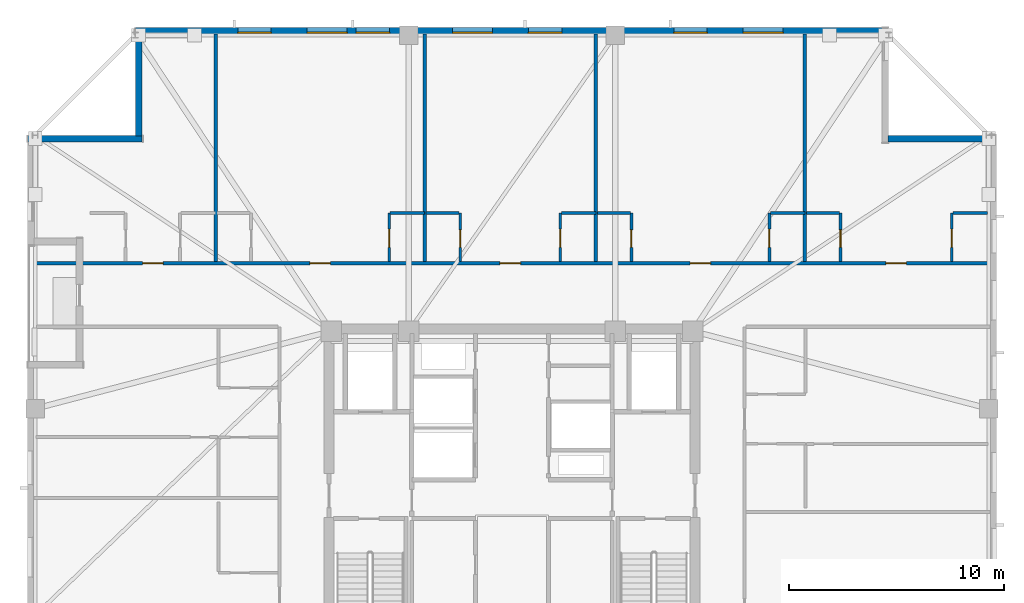
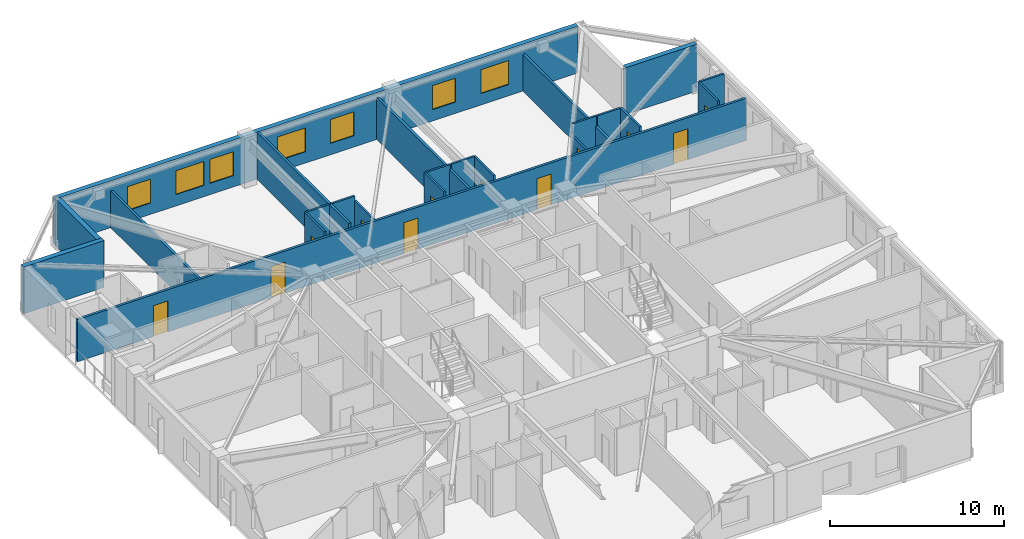
# One storey, part 11 of 17: 23 walls, 12 doors, 7 windows, 19 openings.
"""IFC4 building model written with IfcOpenShell, lengths in metres."""

from ifc_helpers import new_model, si_unit, direction, frame, frame_2d, origin, place, context, subcontext, project, spatial, rectangle, extrude, material, layer, layer_set, type_object, element, fill, save


model = new_model("IFC4")

# Units and contexts
model_context = context("Model", 3, precision=1e-05, world=origin(), true_north=direction((0.0, 1.0)))
body_context = subcontext(model_context, "Body", "Model", "MODEL_VIEW")
ifc_project = project(units=[si_unit("LENGTHUNIT", "METRE"), si_unit("AREAUNIT", "SQUARE_METRE"), si_unit("VOLUMEUNIT", "CUBIC_METRE"), si_unit("PLANEANGLEUNIT", "RADIAN"), si_unit("MASSUNIT", "GRAM", prefix="KILO")], contexts=[model_context])

# Site, building, storey
site_placement = place(None, origin())
site = spatial("IfcSite", under=ifc_project, at=site_placement, CompositionType="ELEMENT")
building_placement = place(site_placement, origin())
building = spatial("IfcBuilding", under=site, at=building_placement, Name="Cairnveth Concourse Tower", CompositionType="ELEMENT")
storey_placement = place(building_placement, frame((0.0, 0.0, 234.0)))
storey = spatial("IfcBuildingStorey", under=building, at=storey_placement, Name="L64", CompositionType="ELEMENT", Elevation=234.0)

# Wall, openings, doors
ifc_material_1 = material(Name="Gypsum Plasterboard Partition", Category="gypsum")
ifc_layer_1 = layer(ifc_material_1, 0.159912109375)
ifc_layer_set_1 = layer_set([ifc_layer_1], Name="Gypsum Plasterboard Partition")
wall_type_1 = type_object("IfcWallType", Name="ACOUSTIC PARTY WALL 180", PredefinedType="PARTITIONING", material=ifc_layer_set_1)
wall_1_placement = place(storey_placement, frame((29.77001953125, 50.5576171875, 0.0), z_axis=(0.0, 0.0, 1.0), x_axis=(1.0, 0.0, 0.0)))
wall_1 = element("IfcWall", 1, at=wall_1_placement, inside=storey, type_object=wall_type_1, Name="Interior Wall IW-L64-036", PredefinedType="PARTITIONING", context=body_context, shape_type="SweptSolid", body=[
    extrude(rectangle(XDim=44.425048828125, YDim=0.159912109375, at=frame_2d((22.21240234375, 0.0))), origin(), (0.0, 0.0, 1.0), 2.9580078125),
])
opening_1_placement = place(wall_1_placement, frame((5.06591796875, 0.0, 0.0)))
opening_1 = element("IfcOpeningElement", 2, at=opening_1_placement, cuts=wall_1, Name="Opening ID10", PredefinedType="OPENING", context=body_context, shape_type="SweptSolid", body=[
    extrude(rectangle(XDim=0.9599609375, YDim=2.179931640625, at=frame_2d((0.47998046875, 1.08984375))), frame((0.0, 0.08984375, 0.0), z_axis=(0.0, -1.0, 0.0), x_axis=(1.0, 0.0, 0.0)), (0.0, 0.0, 1.0), 0.179931640625),
])
opening_2_placement = place(wall_1_placement, frame((12.837890625, 0.0, 0.0)))
opening_2 = element("IfcOpeningElement", 3, at=opening_2_placement, cuts=wall_1, Name="Opening ID10", PredefinedType="OPENING", context=body_context, shape_type="SweptSolid", body=[
    extrude(rectangle(XDim=0.9599609375, YDim=2.179931640625, at=frame_2d((0.47998046875, 1.08984375))), frame((0.0, 0.08984375, 0.0), z_axis=(0.0, -1.0, 0.0), x_axis=(1.0, 0.0, 0.0)), (0.0, 0.0, 1.0), 0.179931640625),
])
opening_3_placement = place(wall_1_placement, frame((21.669921875, 0.0, 0.0)))
opening_3 = element("IfcOpeningElement", 4, at=opening_3_placement, cuts=wall_1, Name="Opening ID10", PredefinedType="OPENING", context=body_context, shape_type="SweptSolid", body=[
    extrude(rectangle(XDim=0.9599609375, YDim=2.179931640625, at=frame_2d((0.47998046875, 1.08984375))), frame((0.0, 0.08984375, 0.0), z_axis=(0.0, -1.0, 0.0), x_axis=(1.0, 0.0, 0.0)), (0.0, 0.0, 1.0), 0.179931640625),
])
opening_4_placement = place(wall_1_placement, frame((30.501953125, 0.0, 0.0)))
opening_4 = element("IfcOpeningElement", 5, at=opening_4_placement, cuts=wall_1, Name="Opening ID10", PredefinedType="OPENING", context=body_context, shape_type="SweptSolid", body=[
    extrude(rectangle(XDim=0.9599609375, YDim=2.179931640625, at=frame_2d((0.47998046875, 1.08984375))), frame((0.0, 0.08984375, 0.0), z_axis=(0.0, -1.0, 0.0), x_axis=(1.0, 0.0, 0.0)), (0.0, 0.0, 1.0), 0.179931640625),
])
opening_5_placement = place(wall_1_placement, frame((39.593994140625, 0.0, 0.0)))
opening_5 = element("IfcOpeningElement", 6, at=opening_5_placement, cuts=wall_1, Name="Opening ID10", PredefinedType="OPENING", context=body_context, shape_type="SweptSolid", body=[
    extrude(rectangle(XDim=0.9599609375, YDim=2.179931640625, at=frame_2d((0.47998046875, 1.08984375))), frame((0.0, 0.08984375, 0.0), z_axis=(0.0, -1.0, 0.0), x_axis=(1.0, 0.0, 0.0)), (0.0, 0.0, 1.0), 0.179931640625),
])
ifc_material_2 = material(Name="Solid Core Hardwood Timber Leaf", Category="wood")
door_type_1 = type_object("IfcDoorType", Name="FLAT ENTRANCE DOOR 960X2150", OperationType="NOTDEFINED", PredefinedType="DOOR", material=ifc_material_2)
door_1_placement = place(opening_1_placement, origin())
door_1 = element("IfcDoor", 7, at=door_1_placement, inside=storey, type_object=door_type_1, Name="Studio L64STN1 Entrance Door", OperationType="SINGLE_SWING_RIGHT", OverallHeight=2.179931640625, OverallWidth=0.9599609375, PredefinedType="DOOR", context=body_context, shape_type="SweptSolid", body=[
    extrude(rectangle(XDim=0.9599609375, YDim=2.179931640625, at=frame_2d((0.47998046875, 1.08984375))), frame((0.0, 0.02490234375, 0.0), z_axis=(0.0, -1.0, 0.0), x_axis=(1.0, 0.0, 0.0)), (0.0, 0.0, 1.0), 0.050048828125),
])
fill(opening_1, door_1)
door_2_placement = place(opening_2_placement, origin())
door_2 = element("IfcDoor", 8, at=door_2_placement, inside=storey, type_object=door_type_1, Name="Studio L64STN2 Entrance Door", OperationType="SINGLE_SWING_LEFT", OverallHeight=2.179931640625, OverallWidth=0.9599609375, PredefinedType="DOOR", context=body_context, shape_type="SweptSolid", body=[
    extrude(rectangle(XDim=0.9599609375, YDim=2.179931640625, at=frame_2d((0.47998046875, 1.08984375))), frame((0.0, 0.02490234375, 0.0), z_axis=(0.0, -1.0, 0.0), x_axis=(1.0, 0.0, 0.0)), (0.0, 0.0, 1.0), 0.050048828125),
])
fill(opening_2, door_2)
door_3_placement = place(opening_3_placement, origin())
door_3 = element("IfcDoor", 9, at=door_3_placement, inside=storey, type_object=door_type_1, Name="Studio L64STN3 Entrance Door", OperationType="SINGLE_SWING_RIGHT", OverallHeight=2.179931640625, OverallWidth=0.9599609375, PredefinedType="DOOR", context=body_context, shape_type="SweptSolid", body=[
    extrude(rectangle(XDim=0.9599609375, YDim=2.179931640625, at=frame_2d((0.47998046875, 1.08984375))), frame((0.0, 0.02490234375, 0.0), z_axis=(0.0, -1.0, 0.0), x_axis=(1.0, 0.0, 0.0)), (0.0, 0.0, 1.0), 0.050048828125),
])
fill(opening_3, door_3)
door_4_placement = place(opening_4_placement, origin())
door_4 = element("IfcDoor", 10, at=door_4_placement, inside=storey, type_object=door_type_1, Name="Studio L64STN4 Entrance Door", OperationType="SINGLE_SWING_LEFT", OverallHeight=2.179931640625, OverallWidth=0.9599609375, PredefinedType="DOOR", context=body_context, shape_type="SweptSolid", body=[
    extrude(rectangle(XDim=0.9599609375, YDim=2.179931640625, at=frame_2d((0.47998046875, 1.08984375))), frame((0.0, 0.02490234375, 0.0), z_axis=(0.0, -1.0, 0.0), x_axis=(1.0, 0.0, 0.0)), (0.0, 0.0, 1.0), 0.050048828125),
])
fill(opening_4, door_4)
door_5_placement = place(opening_5_placement, origin())
door_5 = element("IfcDoor", 11, at=door_5_placement, inside=storey, type_object=door_type_1, Name="Studio L64STN5 Entrance Door", OperationType="SINGLE_SWING_RIGHT", OverallHeight=2.179931640625, OverallWidth=0.9599609375, PredefinedType="DOOR", context=body_context, shape_type="SweptSolid", body=[
    extrude(rectangle(XDim=0.9599609375, YDim=2.179931640625, at=frame_2d((0.47998046875, 1.08984375))), frame((0.0, 0.02490234375, 0.0), z_axis=(0.0, -1.0, 0.0), x_axis=(1.0, 0.0, 0.0)), (0.0, 0.0, 1.0), 0.050048828125),
])
fill(opening_5, door_5)

# Walls
wall_2_placement = place(storey_placement, frame((38.23193359375, 50.637451171875, 0.0), z_axis=(0.0, 0.0, 1.0), x_axis=(0.0, 1.0, 0.0)))
element("IfcWall", 12, at=wall_2_placement, inside=storey, type_object=wall_type_1, Name="Interior Wall IW-L64-076", PredefinedType="PARTITIONING", context=body_context, shape_type="SweptSolid", body=[
    extrude(rectangle(XDim=10.5576171875, YDim=0.159912109375, at=frame_2d((5.27880859375, 0.0))), origin(), (0.0, 0.0, 1.0), 2.572998046875),
])
wall_3_placement = place(storey_placement, frame((47.944091796875, 50.637451171875, 0.0), z_axis=(0.0, 0.0, 1.0), x_axis=(0.0, 1.0, 0.0)))
element("IfcWall", 13, at=wall_3_placement, inside=storey, type_object=wall_type_1, Name="Interior Wall IW-L64-081", PredefinedType="PARTITIONING", context=body_context, shape_type="SweptSolid", body=[
    extrude(rectangle(XDim=10.5576171875, YDim=0.159912109375, at=frame_2d((5.27880859375, 0.0))), origin(), (0.0, 0.0, 1.0), 3.2900390625),
])
wall_4_placement = place(storey_placement, frame((55.89599609375, 50.637451171875, 0.0), z_axis=(0.0, 0.0, 1.0), x_axis=(0.0, 1.0, 0.0)))
element("IfcWall", 14, at=wall_4_placement, inside=storey, type_object=wall_type_1, Name="Interior Wall IW-L64-086", PredefinedType="PARTITIONING", context=body_context, shape_type="SweptSolid", body=[
    extrude(rectangle(XDim=10.5576171875, YDim=0.159912109375, at=frame_2d((5.27880859375, 0.0))), origin(), (0.0, 0.0, 1.0), 2.9580078125),
])
wall_5_placement = place(storey_placement, frame((65.60791015625, 50.637451171875, 0.0), z_axis=(0.0, 0.0, 1.0), x_axis=(0.0, 1.0, 0.0)))
element("IfcWall", 15, at=wall_5_placement, inside=storey, type_object=wall_type_1, Name="Interior Wall IW-L64-091", PredefinedType="PARTITIONING", context=body_context, shape_type="SweptSolid", body=[
    extrude(rectangle(XDim=10.5576171875, YDim=0.159912109375, at=frame_2d((5.27880859375, 0.0))), origin(), (0.0, 0.0, 1.0), 2.572998046875),
])

# Wall, opening, door
ifc_layer_2 = layer(ifc_material_1, 0.1298828125)
ifc_layer_set_2 = layer_set([ifc_layer_2], Name="Gypsum Plasterboard Partition")
wall_type_2 = type_object("IfcWallType", Name="WET AREA PARTITION 140", PredefinedType="PLUMBINGWALL", material=ifc_layer_set_2)
wall_6_placement = place(storey_placement, frame((46.2939453125, 50.637451171875, 0.0), z_axis=(0.0, 0.0, 1.0), x_axis=(0.0, 1.0, 0.0)))
wall_6 = element("IfcWall", 16, at=wall_6_placement, inside=storey, type_object=wall_type_2, Name="Interior Wall IW-L64-079", PredefinedType="PLUMBINGWALL", context=body_context, shape_type="SweptSolid", body=[
    extrude(rectangle(XDim=2.25, YDim=0.1298828125, at=frame_2d((1.125, 0.0))), origin(), (0.0, 0.0, 1.0), 3.2900390625),
])
opening_6_placement = place(wall_6_placement, frame((0.64990234375, 0.0, 0.0)))
opening_6 = element("IfcOpeningElement", 17, at=opening_6_placement, cuts=wall_6, Name="Opening ID20", PredefinedType="OPENING", context=body_context, shape_type="SweptSolid", body=[
    extrude(rectangle(XDim=0.85009765625, YDim=2.10009765625, at=frame_2d((0.425048828125, 1.050048828125))), frame((0.0, 0.074951171875, 0.0), z_axis=(0.0, -1.0, 0.0), x_axis=(1.0, 0.0, 0.0)), (0.0, 0.0, 1.0), 0.14990234375),
])
door_type_2 = type_object("IfcDoorType", Name="INTERIOR SINGLE DOOR 850X2100", OperationType="NOTDEFINED", PredefinedType="DOOR", material=ifc_material_2)
door_6_placement = place(opening_6_placement, origin())
door_6 = element("IfcDoor", 18, at=door_6_placement, inside=storey, type_object=door_type_2, Name="L64STN2 Kitchen Door", OperationType="SINGLE_SWING_RIGHT", OverallHeight=2.10009765625, OverallWidth=0.85009765625, PredefinedType="DOOR", context=body_context, shape_type="SweptSolid", body=[
    extrude(rectangle(XDim=0.85009765625, YDim=2.10009765625, at=frame_2d((0.425048828125, 1.050048828125))), frame((0.0, 0.02490234375, 0.0), z_axis=(0.0, -1.0, 0.0), x_axis=(1.0, 0.0, 0.0)), (0.0, 0.0, 1.0), 0.050048828125),
])
fill(opening_6, door_6)

# Wall
wall_7_placement = place(storey_placement, frame((46.343994140625, 52.887451171875, 0.0), z_axis=(0.0, 0.0, 1.0), x_axis=(1.0, 0.0, 0.0)))
element("IfcWall", 19, at=wall_7_placement, inside=storey, type_object=wall_type_2, Name="Interior Wall IW-L64-080", PredefinedType="PLUMBINGWALL", context=body_context, shape_type="SweptSolid", body=[
    extrude(rectangle(XDim=1.60009765625, YDim=0.1298828125, at=frame_2d((0.800048828125, 0.0))), origin(), (0.0, 0.0, 1.0), 3.2900390625),
])

# Wall, opening, door
wall_8_placement = place(storey_placement, frame((49.593994140625, 50.637451171875, 0.0), z_axis=(0.0, 0.0, 1.0), x_axis=(0.0, 1.0, 0.0)))
wall_8 = element("IfcWall", 20, at=wall_8_placement, inside=storey, type_object=wall_type_2, Name="Interior Wall IW-L64-082", PredefinedType="PLUMBINGWALL", context=body_context, shape_type="SweptSolid", body=[
    extrude(rectangle(XDim=2.25, YDim=0.1298828125, at=frame_2d((1.125, 0.0))), origin(), (0.0, 0.0, 1.0), 2.9580078125),
])
opening_7_placement = place(wall_8_placement, frame((0.64990234375, 0.0, 0.0)))
opening_7 = element("IfcOpeningElement", 21, at=opening_7_placement, cuts=wall_8, Name="Opening ID22", PredefinedType="OPENING", context=body_context, shape_type="SweptSolid", body=[
    extrude(rectangle(XDim=0.820068359375, YDim=2.10009765625, at=frame_2d((0.41015625, 1.050048828125))), frame((0.0, 0.074951171875, 0.0), z_axis=(0.0, -1.0, 0.0), x_axis=(1.0, 0.0, 0.0)), (0.0, 0.0, 1.0), 0.14990234375),
])
door_type_3 = type_object("IfcDoorType", Name="INTERIOR WC DOOR 820X2100", OperationType="NOTDEFINED", PredefinedType="DOOR", material=ifc_material_2)
door_7_placement = place(opening_7_placement, origin())
door_7 = element("IfcDoor", 22, at=door_7_placement, inside=storey, type_object=door_type_3, Name="L64STN3 Bathroom Door", OperationType="SINGLE_SWING_RIGHT", OverallHeight=2.10009765625, OverallWidth=0.820068359375, PredefinedType="DOOR", context=body_context, shape_type="SweptSolid", body=[
    extrude(rectangle(XDim=0.820068359375, YDim=2.10009765625, at=frame_2d((0.41015625, 1.050048828125))), frame((0.0, 0.02490234375, 0.0), z_axis=(0.0, -1.0, 0.0), x_axis=(1.0, 0.0, 0.0)), (0.0, 0.0, 1.0), 0.050048828125),
])
fill(opening_7, door_7)

# Wall
wall_9_placement = place(storey_placement, frame((48.009033203125, 52.887451171875, 0.0), z_axis=(0.0, 0.0, 1.0), x_axis=(1.0, 0.0, 0.0)))
element("IfcWall", 23, at=wall_9_placement, inside=storey, type_object=wall_type_2, Name="Interior Wall IW-L64-083", PredefinedType="PLUMBINGWALL", context=body_context, shape_type="SweptSolid", body=[
    extrude(rectangle(XDim=1.534912109375, YDim=0.1298828125, at=frame_2d((0.767578125, 0.0))), origin(), (0.0, 0.0, 1.0), 3.2900390625),
])

# Wall, opening, door
wall_10_placement = place(storey_placement, frame((54.24609375, 50.637451171875, 0.0), z_axis=(0.0, 0.0, 1.0), x_axis=(0.0, 1.0, 0.0)))
wall_10 = element("IfcWall", 24, at=wall_10_placement, inside=storey, type_object=wall_type_2, Name="Interior Wall IW-L64-084", PredefinedType="PLUMBINGWALL", context=body_context, shape_type="SweptSolid", body=[
    extrude(rectangle(XDim=2.25, YDim=0.1298828125, at=frame_2d((1.125, 0.0))), origin(), (0.0, 0.0, 1.0), 3.2900390625),
])
opening_8_placement = place(wall_10_placement, frame((0.64990234375, 0.0, 0.0)))
opening_8 = element("IfcOpeningElement", 25, at=opening_8_placement, cuts=wall_10, Name="Opening ID20", PredefinedType="OPENING", context=body_context, shape_type="SweptSolid", body=[
    extrude(rectangle(XDim=0.85009765625, YDim=2.10009765625, at=frame_2d((0.425048828125, 1.050048828125))), frame((0.0, 0.074951171875, 0.0), z_axis=(0.0, -1.0, 0.0), x_axis=(1.0, 0.0, 0.0)), (0.0, 0.0, 1.0), 0.14990234375),
])
door_8_placement = place(opening_8_placement, origin())
door_8 = element("IfcDoor", 26, at=door_8_placement, inside=storey, type_object=door_type_2, Name="L64STN3 Kitchen Door", OperationType="SINGLE_SWING_LEFT", OverallHeight=2.10009765625, OverallWidth=0.85009765625, PredefinedType="DOOR", context=body_context, shape_type="SweptSolid", body=[
    extrude(rectangle(XDim=0.85009765625, YDim=2.10009765625, at=frame_2d((0.425048828125, 1.050048828125))), frame((0.0, 0.02490234375, 0.0), z_axis=(0.0, -1.0, 0.0), x_axis=(1.0, 0.0, 0.0)), (0.0, 0.0, 1.0), 0.050048828125),
])
fill(opening_8, door_8)

# Wall
wall_11_placement = place(storey_placement, frame((54.2958984375, 52.887451171875, 0.0), z_axis=(0.0, 0.0, 1.0), x_axis=(1.0, 0.0, 0.0)))
element("IfcWall", 27, at=wall_11_placement, inside=storey, type_object=wall_type_2, Name="Interior Wall IW-L64-085", PredefinedType="PLUMBINGWALL", context=body_context, shape_type="SweptSolid", body=[
    extrude(rectangle(XDim=1.60009765625, YDim=0.1298828125, at=frame_2d((0.800048828125, 0.0))), origin(), (0.0, 0.0, 1.0), 3.2900390625),
])

# Wall, opening, door
wall_12_placement = place(storey_placement, frame((57.5458984375, 50.637451171875, 0.0), z_axis=(0.0, 0.0, 1.0), x_axis=(0.0, 1.0, 0.0)))
wall_12 = element("IfcWall", 28, at=wall_12_placement, inside=storey, type_object=wall_type_2, Name="Interior Wall IW-L64-087", PredefinedType="PLUMBINGWALL", context=body_context, shape_type="SweptSolid", body=[
    extrude(rectangle(XDim=2.25, YDim=0.1298828125, at=frame_2d((1.125, 0.0))), origin(), (0.0, 0.0, 1.0), 3.2900390625),
])
opening_9_placement = place(wall_12_placement, frame((0.64990234375, 0.0, 0.0)))
opening_9 = element("IfcOpeningElement", 29, at=opening_9_placement, cuts=wall_12, Name="Opening ID22", PredefinedType="OPENING", context=body_context, shape_type="SweptSolid", body=[
    extrude(rectangle(XDim=0.820068359375, YDim=2.10009765625, at=frame_2d((0.41015625, 1.050048828125))), frame((0.0, 0.074951171875, 0.0), z_axis=(0.0, -1.0, 0.0), x_axis=(1.0, 0.0, 0.0)), (0.0, 0.0, 1.0), 0.14990234375),
])
door_9_placement = place(opening_9_placement, origin())
door_9 = element("IfcDoor", 30, at=door_9_placement, inside=storey, type_object=door_type_3, Name="L64STN4 Bathroom Door", OperationType="SINGLE_SWING_LEFT", OverallHeight=2.10009765625, OverallWidth=0.820068359375, PredefinedType="DOOR", context=body_context, shape_type="SweptSolid", body=[
    extrude(rectangle(XDim=0.820068359375, YDim=2.10009765625, at=frame_2d((0.41015625, 1.050048828125))), frame((0.0, 0.02490234375, 0.0), z_axis=(0.0, -1.0, 0.0), x_axis=(1.0, 0.0, 0.0)), (0.0, 0.0, 1.0), 0.050048828125),
])
fill(opening_9, door_9)

# Wall
wall_13_placement = place(storey_placement, frame((55.9609375, 52.887451171875, 0.0), z_axis=(0.0, 0.0, 1.0), x_axis=(1.0, 0.0, 0.0)))
element("IfcWall", 31, at=wall_13_placement, inside=storey, type_object=wall_type_2, Name="Interior Wall IW-L64-088", PredefinedType="PLUMBINGWALL", context=body_context, shape_type="SweptSolid", body=[
    extrude(rectangle(XDim=1.53515625, YDim=0.1298828125, at=frame_2d((0.767578125, 0.0))), origin(), (0.0, 0.0, 1.0), 3.2900390625),
])

# Wall, opening, door
wall_14_placement = place(storey_placement, frame((63.9580078125, 50.637451171875, 0.0), z_axis=(0.0, 0.0, 1.0), x_axis=(0.0, 1.0, 0.0)))
wall_14 = element("IfcWall", 32, at=wall_14_placement, inside=storey, type_object=wall_type_2, Name="Interior Wall IW-L64-089", PredefinedType="PLUMBINGWALL", context=body_context, shape_type="SweptSolid", body=[
    extrude(rectangle(XDim=2.25, YDim=0.1298828125, at=frame_2d((1.125, 0.0))), origin(), (0.0, 0.0, 1.0), 2.572998046875),
])
opening_10_placement = place(wall_14_placement, frame((0.64990234375, 0.0, 0.0)))
opening_10 = element("IfcOpeningElement", 33, at=opening_10_placement, cuts=wall_14, Name="Opening ID20", PredefinedType="OPENING", context=body_context, shape_type="SweptSolid", body=[
    extrude(rectangle(XDim=0.85009765625, YDim=2.10009765625, at=frame_2d((0.425048828125, 1.050048828125))), frame((0.0, 0.074951171875, 0.0), z_axis=(0.0, -1.0, 0.0), x_axis=(1.0, 0.0, 0.0)), (0.0, 0.0, 1.0), 0.14990234375),
])
door_10_placement = place(opening_10_placement, origin())
door_10 = element("IfcDoor", 34, at=door_10_placement, inside=storey, type_object=door_type_2, Name="L64STN4 Kitchen Door", OperationType="SINGLE_SWING_RIGHT", OverallHeight=2.10009765625, OverallWidth=0.85009765625, PredefinedType="DOOR", context=body_context, shape_type="SweptSolid", body=[
    extrude(rectangle(XDim=0.85009765625, YDim=2.10009765625, at=frame_2d((0.425048828125, 1.050048828125))), frame((0.0, 0.02490234375, 0.0), z_axis=(0.0, -1.0, 0.0), x_axis=(1.0, 0.0, 0.0)), (0.0, 0.0, 1.0), 0.050048828125),
])
fill(opening_10, door_10)

# Wall
wall_15_placement = place(storey_placement, frame((64.008056640625, 52.887451171875, 0.0), z_axis=(0.0, 0.0, 1.0), x_axis=(1.0, 0.0, 0.0)))
element("IfcWall", 35, at=wall_15_placement, inside=storey, type_object=wall_type_2, Name="Interior Wall IW-L64-090", PredefinedType="PLUMBINGWALL", context=body_context, shape_type="SweptSolid", body=[
    extrude(rectangle(XDim=1.599853515625, YDim=0.1298828125, at=frame_2d((0.7998046875, 0.0))), origin(), (0.0, 0.0, 1.0), 3.2900390625),
])

# Wall, opening, door
wall_16_placement = place(storey_placement, frame((67.258056640625, 50.637451171875, 0.0), z_axis=(0.0, 0.0, 1.0), x_axis=(0.0, 1.0, 0.0)))
wall_16 = element("IfcWall", 36, at=wall_16_placement, inside=storey, type_object=wall_type_2, Name="Interior Wall IW-L64-092", PredefinedType="PLUMBINGWALL", context=body_context, shape_type="SweptSolid", body=[
    extrude(rectangle(XDim=2.25, YDim=0.1298828125, at=frame_2d((1.125, 0.0))), origin(), (0.0, 0.0, 1.0), 3.2900390625),
])
opening_11_placement = place(wall_16_placement, frame((0.64990234375, 0.0, 0.0)))
opening_11 = element("IfcOpeningElement", 37, at=opening_11_placement, cuts=wall_16, Name="Opening ID22", PredefinedType="OPENING", context=body_context, shape_type="SweptSolid", body=[
    extrude(rectangle(XDim=0.820068359375, YDim=2.10009765625, at=frame_2d((0.41015625, 1.050048828125))), frame((0.0, 0.074951171875, 0.0), z_axis=(0.0, -1.0, 0.0), x_axis=(1.0, 0.0, 0.0)), (0.0, 0.0, 1.0), 0.14990234375),
])
door_11_placement = place(opening_11_placement, origin())
door_11 = element("IfcDoor", 38, at=door_11_placement, inside=storey, type_object=door_type_3, Name="L64STN5 Bathroom Door", OperationType="SINGLE_SWING_RIGHT", OverallHeight=2.10009765625, OverallWidth=0.820068359375, PredefinedType="DOOR", context=body_context, shape_type="SweptSolid", body=[
    extrude(rectangle(XDim=0.820068359375, YDim=2.10009765625, at=frame_2d((0.41015625, 1.050048828125))), frame((0.0, 0.02490234375, 0.0), z_axis=(0.0, -1.0, 0.0), x_axis=(1.0, 0.0, 0.0)), (0.0, 0.0, 1.0), 0.050048828125),
])
fill(opening_11, door_11)

# Wall
wall_17_placement = place(storey_placement, frame((65.673095703125, 52.887451171875, 0.0), z_axis=(0.0, 0.0, 1.0), x_axis=(1.0, 0.0, 0.0)))
element("IfcWall", 39, at=wall_17_placement, inside=storey, type_object=wall_type_2, Name="Interior Wall IW-L64-093", PredefinedType="PLUMBINGWALL", context=body_context, shape_type="SweptSolid", body=[
    extrude(rectangle(XDim=1.534912109375, YDim=0.1298828125, at=frame_2d((0.767578125, 0.0))), origin(), (0.0, 0.0, 1.0), 3.2900390625),
])

# Wall, opening, door
wall_18_placement = place(storey_placement, frame((72.429931640625, 50.637451171875, 0.0), z_axis=(0.0, 0.0, 1.0), x_axis=(0.0, 1.0, 0.0)))
wall_18 = element("IfcWall", 40, at=wall_18_placement, inside=storey, type_object=wall_type_2, Name="Interior Wall IW-L64-094", PredefinedType="PLUMBINGWALL", context=body_context, shape_type="SweptSolid", body=[
    extrude(rectangle(XDim=2.25, YDim=0.1298828125, at=frame_2d((1.125, 0.0))), origin(), (0.0, 0.0, 1.0), 3.2900390625),
])
opening_12_placement = place(wall_18_placement, frame((0.64990234375, 0.0, 0.0)))
opening_12 = element("IfcOpeningElement", 41, at=opening_12_placement, cuts=wall_18, Name="Opening ID20", PredefinedType="OPENING", context=body_context, shape_type="SweptSolid", body=[
    extrude(rectangle(XDim=0.85009765625, YDim=2.10009765625, at=frame_2d((0.425048828125, 1.050048828125))), frame((0.0, 0.074951171875, 0.0), z_axis=(0.0, -1.0, 0.0), x_axis=(1.0, 0.0, 0.0)), (0.0, 0.0, 1.0), 0.14990234375),
])
door_12_placement = place(opening_12_placement, origin())
door_12 = element("IfcDoor", 42, at=door_12_placement, inside=storey, type_object=door_type_2, Name="L64STN5 Kitchen Door", OperationType="SINGLE_SWING_LEFT", OverallHeight=2.10009765625, OverallWidth=0.85009765625, PredefinedType="DOOR", context=body_context, shape_type="SweptSolid", body=[
    extrude(rectangle(XDim=0.85009765625, YDim=2.10009765625, at=frame_2d((0.425048828125, 1.050048828125))), frame((0.0, 0.02490234375, 0.0), z_axis=(0.0, -1.0, 0.0), x_axis=(1.0, 0.0, 0.0)), (0.0, 0.0, 1.0), 0.050048828125),
])
fill(opening_12, door_12)

# Walls
wall_19_placement = place(storey_placement, frame((72.47998046875, 52.887451171875, 0.0), z_axis=(0.0, 0.0, 1.0), x_axis=(1.0, 0.0, 0.0)))
element("IfcWall", 43, at=wall_19_placement, inside=storey, type_object=wall_type_2, Name="Interior Wall IW-L64-095", PredefinedType="PLUMBINGWALL", context=body_context, shape_type="SweptSolid", body=[
    extrude(rectangle(XDim=1.60009765625, YDim=0.1298828125, at=frame_2d((0.800048828125, 0.0))), origin(), (0.0, 0.0, 1.0), 3.2900390625),
])
ifc_material_3 = material(Name="Melbourne Buff Fired Clay Brick Masonry", Category="masonry")
ifc_layer_3 = layer(ifc_material_3, 0.320068359375)
ifc_layer_set_3 = layer_set([ifc_layer_3], Name="Melbourne Buff Fired Clay Brick Masonry")
wall_type_3 = type_object("IfcWallType", Name="ZONE 3 BRICK PIER SPANDREL WALL 320", PredefinedType="SOLIDWALL", material=ifc_layer_set_3)
wall_20_placement = place(storey_placement, frame((29.5, 56.340087890625, 0.0), z_axis=(0.0, 0.0, 1.0), x_axis=(1.0, 0.0, 0.0)))
element("IfcWall", 44, at=wall_20_placement, inside=storey, type_object=wall_type_3, Name="Exterior Wall EW-L64-S01", PredefinedType="SOLIDWALL", context=body_context, shape_type="SweptSolid", body=[
    extrude(rectangle(XDim=5.320068359375, YDim=0.320068359375, at=frame_2d((2.66015625, 0.0))), origin(), (0.0, 0.0, 1.0), 3.2900390625),
])
wall_21_placement = place(storey_placement, frame((34.659912109375, 56.47802734375, 0.0), z_axis=(0.0, 0.0, 1.0), x_axis=(0.0, 1.0, 0.0)))
element("IfcWall", 45, at=wall_21_placement, inside=storey, type_object=wall_type_3, Name="Exterior Wall EW-L64-S02", PredefinedType="SOLIDWALL", context=body_context, shape_type="SweptSolid", body=[
    extrude(rectangle(XDim=4.723876953125, YDim=0.320068359375, at=frame_2d((2.36181640625, 0.0))), origin(), (0.0, 0.0, 1.0), 3.2900390625),
])

# Wall, openings, windows
wall_22_placement = place(storey_placement, frame((34.5, 61.340087890625, 0.0), z_axis=(0.0, 0.0, 1.0), x_axis=(1.0, 0.0, 0.0)))
wall_22 = element("IfcWall", 46, at=wall_22_placement, inside=storey, type_object=wall_type_3, Name="Exterior Wall EW-L64-S03", PredefinedType="SOLIDWALL", context=body_context, shape_type="SweptSolid", body=[
    extrude(rectangle(XDim=34.701904296875, YDim=0.320068359375, at=frame_2d((17.35107421875, 0.0))), origin(), (0.0, 0.0, 1.0), 3.2900390625),
])
opening_13_placement = place(wall_22_placement, frame((4.7626953125, 0.0, 0.800048828125)))
opening_13 = element("IfcOpeningElement", 47, at=opening_13_placement, cuts=wall_22, Name="Opening W07", PredefinedType="OPENING", context=body_context, shape_type="SweptSolid", body=[
    extrude(rectangle(XDim=1.550048828125, YDim=1.677978515625, at=frame_2d((0.77490234375, 0.8388671875))), frame((0.0, 0.169921875, 0.0), z_axis=(0.0, -1.0, 0.0), x_axis=(1.0, 0.0, 0.0)), (0.0, 0.0, 1.0), 0.340087890625),
])
opening_14_placement = place(wall_22_placement, frame((7.98779296875, 0.0, 0.800048828125)))
opening_14 = element("IfcOpeningElement", 48, at=opening_14_placement, cuts=wall_22, Name="Opening W08", PredefinedType="OPENING", context=body_context, shape_type="SweptSolid", body=[
    extrude(rectangle(XDim=1.85009765625, YDim=1.677978515625, at=frame_2d((0.925048828125, 0.8388671875))), frame((0.0, 0.169921875, 0.0), z_axis=(0.0, -1.0, 0.0), x_axis=(1.0, 0.0, 0.0)), (0.0, 0.0, 1.0), 0.340087890625),
])
opening_15_placement = place(wall_22_placement, frame((10.26318359375, 0.0, 0.800048828125)))
opening_15 = element("IfcOpeningElement", 49, at=opening_15_placement, cuts=wall_22, Name="Opening W07", PredefinedType="OPENING", context=body_context, shape_type="SweptSolid", body=[
    extrude(rectangle(XDim=1.550048828125, YDim=1.677978515625, at=frame_2d((0.77490234375, 0.8388671875))), frame((0.0, 0.169921875, 0.0), z_axis=(0.0, -1.0, 0.0), x_axis=(1.0, 0.0, 0.0)), (0.0, 0.0, 1.0), 0.340087890625),
])
opening_16_placement = place(wall_22_placement, frame((14.73828125, 0.0, 0.800048828125)))
opening_16 = element("IfcOpeningElement", 50, at=opening_16_placement, cuts=wall_22, Name="Opening W08", PredefinedType="OPENING", context=body_context, shape_type="SweptSolid", body=[
    extrude(rectangle(XDim=1.85009765625, YDim=1.677978515625, at=frame_2d((0.925048828125, 0.8388671875))), frame((0.0, 0.169921875, 0.0), z_axis=(0.0, -1.0, 0.0), x_axis=(1.0, 0.0, 0.0)), (0.0, 0.0, 1.0), 0.340087890625),
])
opening_17_placement = place(wall_22_placement, frame((18.263671875, 0.0, 0.800048828125)))
opening_17 = element("IfcOpeningElement", 51, at=opening_17_placement, cuts=wall_22, Name="Opening W07", PredefinedType="OPENING", context=body_context, shape_type="SweptSolid", body=[
    extrude(rectangle(XDim=1.550048828125, YDim=1.677978515625, at=frame_2d((0.77490234375, 0.8388671875))), frame((0.0, 0.169921875, 0.0), z_axis=(0.0, -1.0, 0.0), x_axis=(1.0, 0.0, 0.0)), (0.0, 0.0, 1.0), 0.340087890625),
])
opening_18_placement = place(wall_22_placement, frame((25.01416015625, 0.0, 0.800048828125)))
opening_18 = element("IfcOpeningElement", 52, at=opening_18_placement, cuts=wall_22, Name="Opening W07", PredefinedType="OPENING", context=body_context, shape_type="SweptSolid", body=[
    extrude(rectangle(XDim=1.550048828125, YDim=1.677978515625, at=frame_2d((0.77490234375, 0.8388671875))), frame((0.0, 0.169921875, 0.0), z_axis=(0.0, -1.0, 0.0), x_axis=(1.0, 0.0, 0.0)), (0.0, 0.0, 1.0), 0.340087890625),
])
opening_19_placement = place(wall_22_placement, frame((28.239501953125, 0.0, 0.800048828125)))
opening_19 = element("IfcOpeningElement", 53, at=opening_19_placement, cuts=wall_22, Name="Opening W08", PredefinedType="OPENING", context=body_context, shape_type="SweptSolid", body=[
    extrude(rectangle(XDim=1.85009765625, YDim=1.677978515625, at=frame_2d((0.925048828125, 0.8388671875))), frame((0.0, 0.169921875, 0.0), z_axis=(0.0, -1.0, 0.0), x_axis=(1.0, 0.0, 0.0)), (0.0, 0.0, 1.0), 0.340087890625),
])
ifc_material_4 = material(Name="Double Glazed Low-E Clear Glass", Category="glass")
window_type_1 = type_object("IfcWindowType", Name="DEEP-SET APARTMENT LIVING WINDOW 1850X1850", PartitioningType="DOUBLE_PANEL_VERTICAL", PredefinedType="WINDOW", material=ifc_material_4)
window_1_placement = place(opening_14_placement, origin())
window_1 = element("IfcWindow", 54, at=window_1_placement, inside=storey, type_object=window_type_1, Name="Gothic Lancet Window L64-3-2", OverallHeight=1.677978515625, OverallWidth=1.85009765625, PartitioningType="SINGLE_PANEL", PredefinedType="WINDOW", context=body_context, shape_type="SweptSolid", body=[
    extrude(rectangle(XDim=1.85009765625, YDim=1.677978515625, at=frame_2d((0.925048828125, 0.8388671875))), frame((0.0, -0.050048828125, 0.0), z_axis=(0.0, -1.0, 0.0), x_axis=(1.0, 0.0, 0.0)), (0.0, 0.0, 1.0), 0.06005859375),
])
fill(opening_14, window_1)
window_2_placement = place(opening_16_placement, origin())
window_2 = element("IfcWindow", 55, at=window_2_placement, inside=storey, type_object=window_type_1, Name="Gothic Lancet Window L64-3-4", OverallHeight=1.677978515625, OverallWidth=1.85009765625, PartitioningType="SINGLE_PANEL", PredefinedType="WINDOW", context=body_context, shape_type="SweptSolid", body=[
    extrude(rectangle(XDim=1.85009765625, YDim=1.677978515625, at=frame_2d((0.925048828125, 0.8388671875))), frame((0.0, -0.050048828125, 0.0), z_axis=(0.0, -1.0, 0.0), x_axis=(1.0, 0.0, 0.0)), (0.0, 0.0, 1.0), 0.06005859375),
])
fill(opening_16, window_2)
window_3_placement = place(opening_19_placement, origin())
window_3 = element("IfcWindow", 56, at=window_3_placement, inside=storey, type_object=window_type_1, Name="Gothic Lancet Window L64-3-8", OverallHeight=1.677978515625, OverallWidth=1.85009765625, PartitioningType="SINGLE_PANEL", PredefinedType="WINDOW", context=body_context, shape_type="SweptSolid", body=[
    extrude(rectangle(XDim=1.85009765625, YDim=1.677978515625, at=frame_2d((0.925048828125, 0.8388671875))), frame((0.0, -0.050048828125, 0.0), z_axis=(0.0, -1.0, 0.0), x_axis=(1.0, 0.0, 0.0)), (0.0, 0.0, 1.0), 0.06005859375),
])
fill(opening_19, window_3)
window_type_2 = type_object("IfcWindowType", Name="DEEP-SET APARTMENT WINDOW 1550X1800", PartitioningType="DOUBLE_PANEL_VERTICAL", PredefinedType="WINDOW", material=ifc_material_4)
window_4_placement = place(opening_13_placement, origin())
window_4 = element("IfcWindow", 57, at=window_4_placement, inside=storey, type_object=window_type_2, Name="Gothic Lancet Window L64-3-1", OverallHeight=1.677978515625, OverallWidth=1.550048828125, PartitioningType="SINGLE_PANEL", PredefinedType="WINDOW", context=body_context, shape_type="SweptSolid", body=[
    extrude(rectangle(XDim=1.550048828125, YDim=1.677978515625, at=frame_2d((0.77490234375, 0.8388671875))), frame((0.0, -0.050048828125, 0.0), z_axis=(0.0, -1.0, 0.0), x_axis=(1.0, 0.0, 0.0)), (0.0, 0.0, 1.0), 0.06005859375),
])
fill(opening_13, window_4)
window_5_placement = place(opening_15_placement, origin())
window_5 = element("IfcWindow", 58, at=window_5_placement, inside=storey, type_object=window_type_2, Name="Gothic Lancet Window L64-3-3", OverallHeight=1.677978515625, OverallWidth=1.550048828125, PartitioningType="SINGLE_PANEL", PredefinedType="WINDOW", context=body_context, shape_type="SweptSolid", body=[
    extrude(rectangle(XDim=1.550048828125, YDim=1.677978515625, at=frame_2d((0.77490234375, 0.8388671875))), frame((0.0, -0.050048828125, 0.0), z_axis=(0.0, -1.0, 0.0), x_axis=(1.0, 0.0, 0.0)), (0.0, 0.0, 1.0), 0.06005859375),
])
fill(opening_15, window_5)
window_6_placement = place(opening_17_placement, origin())
window_6 = element("IfcWindow", 59, at=window_6_placement, inside=storey, type_object=window_type_2, Name="Gothic Lancet Window L64-3-5", OverallHeight=1.677978515625, OverallWidth=1.550048828125, PartitioningType="SINGLE_PANEL", PredefinedType="WINDOW", context=body_context, shape_type="SweptSolid", body=[
    extrude(rectangle(XDim=1.550048828125, YDim=1.677978515625, at=frame_2d((0.77490234375, 0.8388671875))), frame((0.0, -0.050048828125, 0.0), z_axis=(0.0, -1.0, 0.0), x_axis=(1.0, 0.0, 0.0)), (0.0, 0.0, 1.0), 0.06005859375),
])
fill(opening_17, window_6)
window_7_placement = place(opening_18_placement, origin())
window_7 = element("IfcWindow", 60, at=window_7_placement, inside=storey, type_object=window_type_2, Name="Gothic Lancet Window L64-3-7", OverallHeight=1.677978515625, OverallWidth=1.550048828125, PartitioningType="SINGLE_PANEL", PredefinedType="WINDOW", context=body_context, shape_type="SweptSolid", body=[
    extrude(rectangle(XDim=1.550048828125, YDim=1.677978515625, at=frame_2d((0.77490234375, 0.8388671875))), frame((0.0, -0.050048828125, 0.0), z_axis=(0.0, -1.0, 0.0), x_axis=(1.0, 0.0, 0.0)), (0.0, 0.0, 1.0), 0.06005859375),
])
fill(opening_18, window_7)

# Wall
wall_23_placement = place(storey_placement, frame((69.47802734375, 56.340087890625, 0.0), z_axis=(0.0, 0.0, 1.0), x_axis=(1.0, 0.0, 0.0)))
element("IfcWall", 61, at=wall_23_placement, inside=storey, type_object=wall_type_3, Name="Exterior Wall EW-L64-S05", PredefinedType="SOLIDWALL", context=body_context, shape_type="SweptSolid", body=[
    extrude(rectangle(XDim=4.723876953125, YDim=0.320068359375, at=frame_2d((2.36181640625, 0.0))), origin(), (0.0, 0.0, 1.0), 3.2900390625),
])

save(model, "model.ifc")
